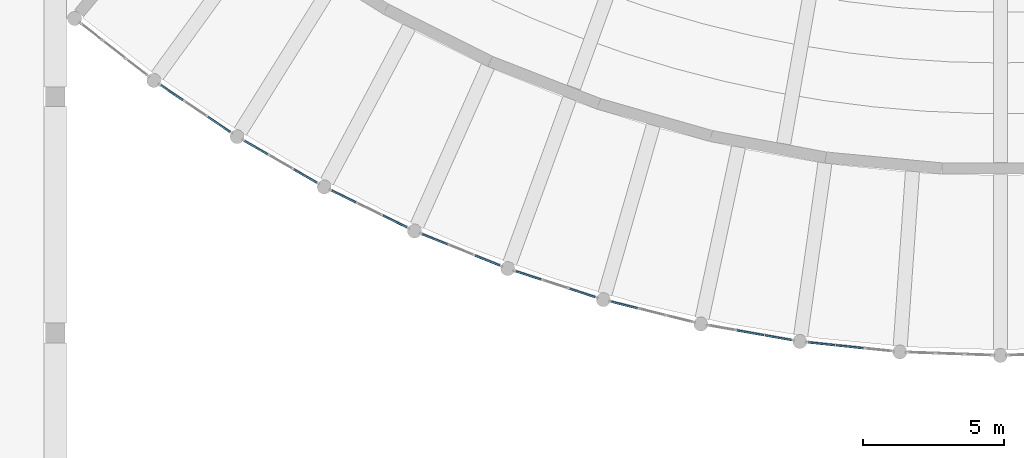
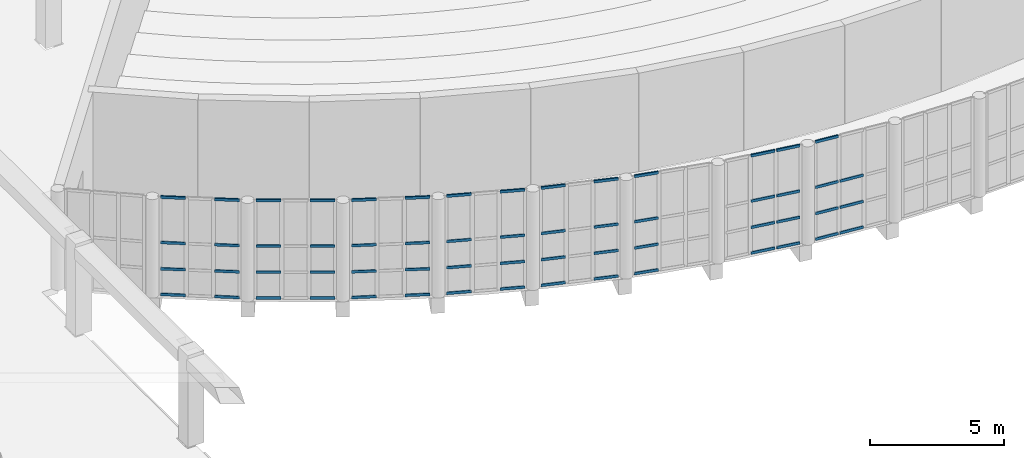
# One storey, part 58 of 162: 59 members, 8 elements without a shape of their own.
"""IFC4 building model written with IfcOpenShell, lengths in metres."""

from ifc_helpers import new_model, si_unit, direction, frame, origin, origin_2d, place, context, subcontext, project, spatial, rectangle, extrude, material, layer, layer_set, material_profile, profile_set, type_object, element, aggregate, save


model = new_model("IFC4")

# Units and contexts
model_context = context("Model", 3, precision=1e-05, world=origin(), true_north=direction((0.0, 1.0)))
body_context = subcontext(model_context, "Body", "Model", "MODEL_VIEW")
ifc_project = project(units=[si_unit("LENGTHUNIT", "METRE"), si_unit("AREAUNIT", "SQUARE_METRE"), si_unit("VOLUMEUNIT", "CUBIC_METRE"), si_unit("PLANEANGLEUNIT", "RADIAN"), si_unit("MASSUNIT", "GRAM", prefix="KILO")], contexts=[model_context])

# Site, building, storey
site_placement = place(None, origin())
site = spatial("IfcSite", under=ifc_project, at=site_placement, CompositionType="ELEMENT")
building_placement = place(site_placement, origin())
building = spatial("IfcBuilding", under=site, at=building_placement, Name="Rain Tree Exposition and Congress Centre", CompositionType="ELEMENT")
storey_placement = place(building_placement, frame((0.0, 0.0, 6.0)))
storey = spatial("IfcBuildingStorey", under=building, at=storey_placement, Name="L01", CompositionType="ELEMENT", Elevation=6.0)

# Curtain wall, members
ifc_material_1 = material(Name="Aluminium", Category="aluminium")
ifc_layer = layer(ifc_material_1, 0.10009765625)
ifc_layer_set = layer_set([ifc_layer], Name="Aluminium")
curtain_wall_type = type_object("IfcCurtainWallType", Name="Curtain wall congress", PredefinedType="NOTDEFINED", material=ifc_layer_set)
curtain_wall_1_placement = place(storey_placement, origin())
curtain_wall_1 = element("IfcCurtainWall", 1, at=curtain_wall_1_placement, inside=storey, type_object=curtain_wall_type, Name="Curtain wall L01 bay 2", PredefinedType="NOTDEFINED")
ifc_material_2 = material(Name="Aluminium", Category="aluminium")
ifc_material_profile = material_profile(ifc_material_2, rectangle(XDim=0.06005859375, YDim=0.1201171875, at=origin_2d()), Name="AL 60x120")
ifc_profile_set = profile_set([ifc_material_profile], Name="Aluminium")
member_type = type_object("IfcMemberType", Name="Curtain wall transom 60x120 congress", PredefinedType="USERDEFINED", material=ifc_profile_set)
member_1_placement = place(storey_placement, frame((171.762451171875, 25.60498046875, 0.030029296875), z_axis=(0.828942550457, -0.559333753712, 0.0), x_axis=(0.559333753712, 0.828942550457, 0.0)))
member_1 = element("IfcMember", 2, at=member_1_placement, type_object=member_type, Name="CWG202 transom 1.1", ObjectType="TRANSOM", PredefinedType="USERDEFINED", context=body_context, shape_type="SweptSolid", body=[
    extrude(rectangle(XDim=0.06005859375, YDim=0.1201171875, at=origin_2d()), origin(), (0.0, 0.0, 1.0), 0.9345703125),
])
member_2_placement = place(storey_placement, frame((171.762451171875, 25.60498046875, 1.199951171875), z_axis=(0.828942550457, -0.559333753712, 0.0), x_axis=(0.559333753712, 0.828942550457, 0.0)))
member_2 = element("IfcMember", 3, at=member_2_placement, type_object=member_type, Name="CWG202 transom 1.2", ObjectType="TRANSOM", PredefinedType="USERDEFINED", context=body_context, shape_type="SweptSolid", body=[
    extrude(rectangle(XDim=0.06005859375, YDim=0.1201171875, at=origin_2d()), origin(), (0.0, 0.0, 1.0), 0.9345703125),
])
member_3_placement = place(storey_placement, frame((171.762451171875, 25.60498046875, 2.39990234375), z_axis=(0.828942550457, -0.559333753712, 0.0), x_axis=(0.559333753712, 0.828942550457, 0.0)))
member_3 = element("IfcMember", 4, at=member_3_placement, type_object=member_type, Name="CWG202 transom 1.3", ObjectType="TRANSOM", PredefinedType="USERDEFINED", context=body_context, shape_type="SweptSolid", body=[
    extrude(rectangle(XDim=0.06005859375, YDim=0.1201171875, at=origin_2d()), origin(), (0.0, 0.0, 1.0), 0.9345703125),
])
member_4_placement = place(storey_placement, frame((171.762451171875, 25.60498046875, 4.469970703125), z_axis=(0.828942550457, -0.559333753712, 0.0), x_axis=(0.559333753712, 0.828942550457, 0.0)))
member_4 = element("IfcMember", 5, at=member_4_placement, type_object=member_type, Name="CWG202 transom 1.4", ObjectType="TRANSOM", PredefinedType="USERDEFINED", context=body_context, shape_type="SweptSolid", body=[
    extrude(rectangle(XDim=0.06005859375, YDim=0.1201171875, at=origin_2d()), origin(), (0.0, 0.0, 1.0), 0.9345703125),
])
member_5_placement = place(storey_placement, frame((173.436279296875, 24.475830078125, 0.030029296875), z_axis=(0.829145343923, -0.559033092626, 0.0), x_axis=(0.559033092626, 0.829145343923, 0.0)))
member_5 = element("IfcMember", 6, at=member_5_placement, type_object=member_type, Name="CWG202 transom 3.1", ObjectType="TRANSOM", PredefinedType="USERDEFINED", context=body_context, shape_type="SweptSolid", body=[
    extrude(rectangle(XDim=0.06005859375, YDim=0.1201171875, at=origin_2d()), origin(), (0.0, 0.0, 1.0), 0.9345703125),
])
member_6_placement = place(storey_placement, frame((173.436279296875, 24.475830078125, 1.199951171875), z_axis=(0.829145343923, -0.559033092626, 0.0), x_axis=(0.559033092626, 0.829145343923, 0.0)))
member_6 = element("IfcMember", 7, at=member_6_placement, type_object=member_type, Name="CWG202 transom 3.2", ObjectType="TRANSOM", PredefinedType="USERDEFINED", context=body_context, shape_type="SweptSolid", body=[
    extrude(rectangle(XDim=0.06005859375, YDim=0.1201171875, at=origin_2d()), origin(), (0.0, 0.0, 1.0), 0.9345703125),
])
member_7_placement = place(storey_placement, frame((173.436279296875, 24.475830078125, 2.39990234375), z_axis=(0.829145343923, -0.559033092626, 0.0), x_axis=(0.559033092626, 0.829145343923, 0.0)))
member_7 = element("IfcMember", 8, at=member_7_placement, type_object=member_type, Name="CWG202 transom 3.3", ObjectType="TRANSOM", PredefinedType="USERDEFINED", context=body_context, shape_type="SweptSolid", body=[
    extrude(rectangle(XDim=0.06005859375, YDim=0.1201171875, at=origin_2d()), origin(), (0.0, 0.0, 1.0), 0.9345703125),
])
member_8_placement = place(storey_placement, frame((173.436279296875, 24.475830078125, 4.469970703125), z_axis=(0.829145343923, -0.559033092626, 0.0), x_axis=(0.559033092626, 0.829145343923, 0.0)))
member_8 = element("IfcMember", 9, at=member_8_placement, type_object=member_type, Name="CWG202 transom 3.4", ObjectType="TRANSOM", PredefinedType="USERDEFINED", context=body_context, shape_type="SweptSolid", body=[
    extrude(rectangle(XDim=0.06005859375, YDim=0.1201171875, at=origin_2d()), origin(), (0.0, 0.0, 1.0), 0.9345703125),
])
aggregate(curtain_wall_1, [member_1, member_2, member_3, member_4, member_5, member_6, member_7, member_8])

curtain_wall_2_placement = place(storey_placement, origin())
curtain_wall_2 = element("IfcCurtainWall", 10, at=curtain_wall_2_placement, inside=storey, type_object=curtain_wall_type, Name="Curtain wall L01 bay 3", PredefinedType="NOTDEFINED")
member_9_placement = place(storey_placement, frame((174.736572265625, 23.625, 0.030029296875), z_axis=(0.866015917575, -0.500016430238, 0.0), x_axis=(0.500016430238, 0.866015917575, 0.0)))
member_9 = element("IfcMember", 11, at=member_9_placement, type_object=member_type, Name="CWG203 transom 1.1", ObjectType="TRANSOM", PredefinedType="USERDEFINED", context=body_context, shape_type="SweptSolid", body=[
    extrude(rectangle(XDim=0.06005859375, YDim=0.1201171875, at=origin_2d()), origin(), (0.0, 0.0, 1.0), 0.9345703125),
])
member_10_placement = place(storey_placement, frame((174.736572265625, 23.625, 1.199951171875), z_axis=(0.866015917575, -0.500016430238, 0.0), x_axis=(0.500016430238, 0.866015917575, 0.0)))
member_10 = element("IfcMember", 12, at=member_10_placement, type_object=member_type, Name="CWG203 transom 1.2", ObjectType="TRANSOM", PredefinedType="USERDEFINED", context=body_context, shape_type="SweptSolid", body=[
    extrude(rectangle(XDim=0.06005859375, YDim=0.1201171875, at=origin_2d()), origin(), (0.0, 0.0, 1.0), 0.9345703125),
])
member_11_placement = place(storey_placement, frame((174.736572265625, 23.625, 2.39990234375), z_axis=(0.866015917575, -0.500016430238, 0.0), x_axis=(0.500016430238, 0.866015917575, 0.0)))
member_11 = element("IfcMember", 13, at=member_11_placement, type_object=member_type, Name="CWG203 transom 1.3", ObjectType="TRANSOM", PredefinedType="USERDEFINED", context=body_context, shape_type="SweptSolid", body=[
    extrude(rectangle(XDim=0.06005859375, YDim=0.1201171875, at=origin_2d()), origin(), (0.0, 0.0, 1.0), 0.9345703125),
])
member_12_placement = place(storey_placement, frame((174.736572265625, 23.625, 4.469970703125), z_axis=(0.866015917575, -0.500016430238, 0.0), x_axis=(0.500016430238, 0.866015917575, 0.0)))
member_12 = element("IfcMember", 14, at=member_12_placement, type_object=member_type, Name="CWG203 transom 1.4", ObjectType="TRANSOM", PredefinedType="USERDEFINED", context=body_context, shape_type="SweptSolid", body=[
    extrude(rectangle(XDim=0.06005859375, YDim=0.1201171875, at=origin_2d()), origin(), (0.0, 0.0, 1.0), 0.9345703125),
])
member_13_placement = place(storey_placement, frame((176.485107421875, 22.615478515625, 0.030029296875), z_axis=(0.866015917575, -0.500016430238, 0.0), x_axis=(0.500016430238, 0.866015917575, 0.0)))
member_13 = element("IfcMember", 15, at=member_13_placement, type_object=member_type, Name="CWG203 transom 3.1", ObjectType="TRANSOM", PredefinedType="USERDEFINED", context=body_context, shape_type="SweptSolid", body=[
    extrude(rectangle(XDim=0.06005859375, YDim=0.1201171875, at=origin_2d()), origin(), (0.0, 0.0, 1.0), 0.9345703125),
])
member_14_placement = place(storey_placement, frame((176.485107421875, 22.615478515625, 1.199951171875), z_axis=(0.866015917575, -0.500016430238, 0.0), x_axis=(0.500016430238, 0.866015917575, 0.0)))
member_14 = element("IfcMember", 16, at=member_14_placement, type_object=member_type, Name="CWG203 transom 3.2", ObjectType="TRANSOM", PredefinedType="USERDEFINED", context=body_context, shape_type="SweptSolid", body=[
    extrude(rectangle(XDim=0.06005859375, YDim=0.1201171875, at=origin_2d()), origin(), (0.0, 0.0, 1.0), 0.9345703125),
])
member_15_placement = place(storey_placement, frame((176.485107421875, 22.615478515625, 2.39990234375), z_axis=(0.866015917575, -0.500016430238, 0.0), x_axis=(0.500016430238, 0.866015917575, 0.0)))
member_15 = element("IfcMember", 17, at=member_15_placement, type_object=member_type, Name="CWG203 transom 3.3", ObjectType="TRANSOM", PredefinedType="USERDEFINED", context=body_context, shape_type="SweptSolid", body=[
    extrude(rectangle(XDim=0.06005859375, YDim=0.1201171875, at=origin_2d()), origin(), (0.0, 0.0, 1.0), 0.9345703125),
])
member_16_placement = place(storey_placement, frame((176.485107421875, 22.615478515625, 4.469970703125), z_axis=(0.866015917575, -0.500016430238, 0.0), x_axis=(0.500016430238, 0.866015917575, 0.0)))
member_16 = element("IfcMember", 18, at=member_16_placement, type_object=member_type, Name="CWG203 transom 3.4", ObjectType="TRANSOM", PredefinedType="USERDEFINED", context=body_context, shape_type="SweptSolid", body=[
    extrude(rectangle(XDim=0.06005859375, YDim=0.1201171875, at=origin_2d()), origin(), (0.0, 0.0, 1.0), 0.9345703125),
])
aggregate(curtain_wall_2, [member_9, member_10, member_11, member_12, member_13, member_14, member_15, member_16])

curtain_wall_3_placement = place(storey_placement, origin())
curtain_wall_3 = element("IfcCurtainWall", 19, at=curtain_wall_3_placement, inside=storey, type_object=curtain_wall_type, Name="Curtain wall L01 bay 4", PredefinedType="NOTDEFINED")
member_17_placement = place(storey_placement, frame((177.841796875, 21.857177734375, 0.030029296875), z_axis=(0.89877346762, -0.438413336821, 0.0), x_axis=(0.438413336821, 0.89877346762, 0.0)))
member_17 = element("IfcMember", 20, at=member_17_placement, type_object=member_type, Name="CWG204 transom 1.1", ObjectType="TRANSOM", PredefinedType="USERDEFINED", context=body_context, shape_type="SweptSolid", body=[
    extrude(rectangle(XDim=0.06005859375, YDim=0.1201171875, at=origin_2d()), origin(), (0.0, 0.0, 1.0), 0.934326171875),
])
member_18_placement = place(storey_placement, frame((177.841796875, 21.857177734375, 1.199951171875), z_axis=(0.89877346762, -0.438413336821, 0.0), x_axis=(0.438413336821, 0.89877346762, 0.0)))
member_18 = element("IfcMember", 21, at=member_18_placement, type_object=member_type, Name="CWG204 transom 1.2", ObjectType="TRANSOM", PredefinedType="USERDEFINED", context=body_context, shape_type="SweptSolid", body=[
    extrude(rectangle(XDim=0.06005859375, YDim=0.1201171875, at=origin_2d()), origin(), (0.0, 0.0, 1.0), 0.934326171875),
])
member_19_placement = place(storey_placement, frame((177.841796875, 21.857177734375, 2.39990234375), z_axis=(0.89877346762, -0.438413336821, 0.0), x_axis=(0.438413336821, 0.89877346762, 0.0)))
member_19 = element("IfcMember", 22, at=member_19_placement, type_object=member_type, Name="CWG204 transom 1.3", ObjectType="TRANSOM", PredefinedType="USERDEFINED", context=body_context, shape_type="SweptSolid", body=[
    extrude(rectangle(XDim=0.06005859375, YDim=0.1201171875, at=origin_2d()), origin(), (0.0, 0.0, 1.0), 0.934326171875),
])
member_20_placement = place(storey_placement, frame((177.841796875, 21.857177734375, 4.469970703125), z_axis=(0.89877346762, -0.438413336821, 0.0), x_axis=(0.438413336821, 0.89877346762, 0.0)))
member_20 = element("IfcMember", 23, at=member_20_placement, type_object=member_type, Name="CWG204 transom 1.4", ObjectType="TRANSOM", PredefinedType="USERDEFINED", context=body_context, shape_type="SweptSolid", body=[
    extrude(rectangle(XDim=0.06005859375, YDim=0.1201171875, at=origin_2d()), origin(), (0.0, 0.0, 1.0), 0.934326171875),
])
member_21_placement = place(storey_placement, frame((179.656494140625, 20.97216796875, 0.030029296875), z_axis=(0.898823667925, -0.438310408247, 0.0), x_axis=(0.438310408247, 0.898823667925, 0.0)))
member_21 = element("IfcMember", 24, at=member_21_placement, type_object=member_type, Name="CWG204 transom 3.1", ObjectType="TRANSOM", PredefinedType="USERDEFINED", context=body_context, shape_type="SweptSolid", body=[
    extrude(rectangle(XDim=0.06005859375, YDim=0.1201171875, at=origin_2d()), origin(), (0.0, 0.0, 1.0), 0.9345703125),
])
member_22_placement = place(storey_placement, frame((179.656494140625, 20.97216796875, 1.199951171875), z_axis=(0.898823667925, -0.438310408247, 0.0), x_axis=(0.438310408247, 0.898823667925, 0.0)))
member_22 = element("IfcMember", 25, at=member_22_placement, type_object=member_type, Name="CWG204 transom 3.2", ObjectType="TRANSOM", PredefinedType="USERDEFINED", context=body_context, shape_type="SweptSolid", body=[
    extrude(rectangle(XDim=0.06005859375, YDim=0.1201171875, at=origin_2d()), origin(), (0.0, 0.0, 1.0), 0.9345703125),
])
member_23_placement = place(storey_placement, frame((179.656494140625, 20.97216796875, 2.39990234375), z_axis=(0.898823667925, -0.438310408247, 0.0), x_axis=(0.438310408247, 0.898823667925, 0.0)))
member_23 = element("IfcMember", 26, at=member_23_placement, type_object=member_type, Name="CWG204 transom 3.3", ObjectType="TRANSOM", PredefinedType="USERDEFINED", context=body_context, shape_type="SweptSolid", body=[
    extrude(rectangle(XDim=0.06005859375, YDim=0.1201171875, at=origin_2d()), origin(), (0.0, 0.0, 1.0), 0.9345703125),
])
member_24_placement = place(storey_placement, frame((179.656494140625, 20.97216796875, 4.469970703125), z_axis=(0.898823667925, -0.438310408247, 0.0), x_axis=(0.438310408247, 0.898823667925, 0.0)))
member_24 = element("IfcMember", 27, at=member_24_placement, type_object=member_type, Name="CWG204 transom 3.4", ObjectType="TRANSOM", PredefinedType="USERDEFINED", context=body_context, shape_type="SweptSolid", body=[
    extrude(rectangle(XDim=0.06005859375, YDim=0.1201171875, at=origin_2d()), origin(), (0.0, 0.0, 1.0), 0.9345703125),
])
aggregate(curtain_wall_3, [member_17, member_18, member_19, member_20, member_21, member_22, member_23, member_24])

curtain_wall_4_placement = place(storey_placement, origin())
curtain_wall_4 = element("IfcCurtainWall", 28, at=curtain_wall_4_placement, inside=storey, type_object=curtain_wall_type, Name="Curtain wall L01 bay 5", PredefinedType="NOTDEFINED")
member_25_placement = place(storey_placement, frame((181.0625, 20.310302734375, 0.030029296875), z_axis=(0.927173788996, -0.374631505613, 0.0), x_axis=(0.374631505613, 0.927173788996, 0.0)))
member_25 = element("IfcMember", 29, at=member_25_placement, type_object=member_type, Name="CWG205 transom 1.1", ObjectType="TRANSOM", PredefinedType="USERDEFINED", context=body_context, shape_type="SweptSolid", body=[
    extrude(rectangle(XDim=0.06005859375, YDim=0.1201171875, at=origin_2d()), origin(), (0.0, 0.0, 1.0), 0.9345703125),
])
member_26_placement = place(storey_placement, frame((181.0625, 20.310302734375, 1.199951171875), z_axis=(0.927173788996, -0.374631505613, 0.0), x_axis=(0.374631505613, 0.927173788996, 0.0)))
member_26 = element("IfcMember", 30, at=member_26_placement, type_object=member_type, Name="CWG205 transom 1.2", ObjectType="TRANSOM", PredefinedType="USERDEFINED", context=body_context, shape_type="SweptSolid", body=[
    extrude(rectangle(XDim=0.06005859375, YDim=0.1201171875, at=origin_2d()), origin(), (0.0, 0.0, 1.0), 0.9345703125),
])
member_27_placement = place(storey_placement, frame((181.0625, 20.310302734375, 2.39990234375), z_axis=(0.927173788996, -0.374631505613, 0.0), x_axis=(0.374631505613, 0.927173788996, 0.0)))
member_27 = element("IfcMember", 31, at=member_27_placement, type_object=member_type, Name="CWG205 transom 1.3", ObjectType="TRANSOM", PredefinedType="USERDEFINED", context=body_context, shape_type="SweptSolid", body=[
    extrude(rectangle(XDim=0.06005859375, YDim=0.1201171875, at=origin_2d()), origin(), (0.0, 0.0, 1.0), 0.9345703125),
])
member_28_placement = place(storey_placement, frame((181.0625, 20.310302734375, 4.469970703125), z_axis=(0.927173788996, -0.374631505613, 0.0), x_axis=(0.374631505613, 0.927173788996, 0.0)))
member_28 = element("IfcMember", 32, at=member_28_placement, type_object=member_type, Name="CWG205 transom 1.4", ObjectType="TRANSOM", PredefinedType="USERDEFINED", context=body_context, shape_type="SweptSolid", body=[
    extrude(rectangle(XDim=0.06005859375, YDim=0.1201171875, at=origin_2d()), origin(), (0.0, 0.0, 1.0), 0.9345703125),
])
member_29_placement = place(storey_placement, frame((182.9345703125, 19.553955078125, 0.030029296875), z_axis=(0.927210441696, -0.374540781237, 0.0), x_axis=(0.374540781237, 0.927210441696, 0.0)))
member_29 = element("IfcMember", 33, at=member_29_placement, type_object=member_type, Name="CWG205 transom 3.1", ObjectType="TRANSOM", PredefinedType="USERDEFINED", context=body_context, shape_type="SweptSolid", body=[
    extrude(rectangle(XDim=0.06005859375, YDim=0.1201171875, at=origin_2d()), origin(), (0.0, 0.0, 1.0), 0.934814453125),
])
member_30_placement = place(storey_placement, frame((182.9345703125, 19.553955078125, 1.199951171875), z_axis=(0.927210441696, -0.374540781237, 0.0), x_axis=(0.374540781237, 0.927210441696, 0.0)))
member_30 = element("IfcMember", 34, at=member_30_placement, type_object=member_type, Name="CWG205 transom 3.2", ObjectType="TRANSOM", PredefinedType="USERDEFINED", context=body_context, shape_type="SweptSolid", body=[
    extrude(rectangle(XDim=0.06005859375, YDim=0.1201171875, at=origin_2d()), origin(), (0.0, 0.0, 1.0), 0.934814453125),
])
member_31_placement = place(storey_placement, frame((182.9345703125, 19.553955078125, 2.39990234375), z_axis=(0.927210441696, -0.374540781237, 0.0), x_axis=(0.374540781237, 0.927210441696, 0.0)))
member_31 = element("IfcMember", 35, at=member_31_placement, type_object=member_type, Name="CWG205 transom 3.3", ObjectType="TRANSOM", PredefinedType="USERDEFINED", context=body_context, shape_type="SweptSolid", body=[
    extrude(rectangle(XDim=0.06005859375, YDim=0.1201171875, at=origin_2d()), origin(), (0.0, 0.0, 1.0), 0.934814453125),
])
member_32_placement = place(storey_placement, frame((182.9345703125, 19.553955078125, 4.469970703125), z_axis=(0.927210441696, -0.374540781237, 0.0), x_axis=(0.374540781237, 0.927210441696, 0.0)))
member_32 = element("IfcMember", 36, at=member_32_placement, type_object=member_type, Name="CWG205 transom 3.4", ObjectType="TRANSOM", PredefinedType="USERDEFINED", context=body_context, shape_type="SweptSolid", body=[
    extrude(rectangle(XDim=0.06005859375, YDim=0.1201171875, at=origin_2d()), origin(), (0.0, 0.0, 1.0), 0.934814453125),
])
aggregate(curtain_wall_4, [member_25, member_26, member_27, member_28, member_29, member_30, member_31, member_32])

curtain_wall_5_placement = place(storey_placement, origin())
curtain_wall_5 = element("IfcCurtainWall", 37, at=curtain_wall_5_placement, inside=storey, type_object=curtain_wall_type, Name="Curtain wall L01 bay 6", PredefinedType="NOTDEFINED")
member_33_placement = place(storey_placement, frame((184.38330078125, 18.991943359375, 0.030029296875), z_axis=(0.951059019947, -0.309009288821, 0.0), x_axis=(0.309009288821, 0.951059019947, 0.0)))
member_33 = element("IfcMember", 38, at=member_33_placement, type_object=member_type, Name="CWG206 transom 1.1", ObjectType="TRANSOM", PredefinedType="USERDEFINED", context=body_context, shape_type="SweptSolid", body=[
    extrude(rectangle(XDim=0.06005859375, YDim=0.1201171875, at=origin_2d()), origin(), (0.0, 0.0, 1.0), 0.9345703125),
])
member_34_placement = place(storey_placement, frame((184.38330078125, 18.991943359375, 1.199951171875), z_axis=(0.951059019947, -0.309009288821, 0.0), x_axis=(0.309009288821, 0.951059019947, 0.0)))
member_34 = element("IfcMember", 39, at=member_34_placement, type_object=member_type, Name="CWG206 transom 1.2", ObjectType="TRANSOM", PredefinedType="USERDEFINED", context=body_context, shape_type="SweptSolid", body=[
    extrude(rectangle(XDim=0.06005859375, YDim=0.1201171875, at=origin_2d()), origin(), (0.0, 0.0, 1.0), 0.9345703125),
])
member_35_placement = place(storey_placement, frame((184.38330078125, 18.991943359375, 2.39990234375), z_axis=(0.951059019947, -0.309009288821, 0.0), x_axis=(0.309009288821, 0.951059019947, 0.0)))
member_35 = element("IfcMember", 40, at=member_35_placement, type_object=member_type, Name="CWG206 transom 1.3", ObjectType="TRANSOM", PredefinedType="USERDEFINED", context=body_context, shape_type="SweptSolid", body=[
    extrude(rectangle(XDim=0.06005859375, YDim=0.1201171875, at=origin_2d()), origin(), (0.0, 0.0, 1.0), 0.9345703125),
])
member_36_placement = place(storey_placement, frame((184.38330078125, 18.991943359375, 4.469970703125), z_axis=(0.951059019947, -0.309009288821, 0.0), x_axis=(0.309009288821, 0.951059019947, 0.0)))
member_36 = element("IfcMember", 41, at=member_36_placement, type_object=member_type, Name="CWG206 transom 1.4", ObjectType="TRANSOM", PredefinedType="USERDEFINED", context=body_context, shape_type="SweptSolid", body=[
    extrude(rectangle(XDim=0.06005859375, YDim=0.1201171875, at=origin_2d()), origin(), (0.0, 0.0, 1.0), 0.9345703125),
])
member_37_placement = place(storey_placement, frame((186.3037109375, 18.367919921875, 0.030029296875), z_axis=(0.951135762238, -0.308772993948, 0.0), x_axis=(0.308772993948, 0.951135762238, 0.0)))
member_37 = element("IfcMember", 42, at=member_37_placement, type_object=member_type, Name="CWG206 transom 3.1", ObjectType="TRANSOM", PredefinedType="USERDEFINED", context=body_context, shape_type="SweptSolid", body=[
    extrude(rectangle(XDim=0.06005859375, YDim=0.1201171875, at=origin_2d()), origin(), (0.0, 0.0, 1.0), 0.9345703125),
])
member_38_placement = place(storey_placement, frame((186.3037109375, 18.367919921875, 1.199951171875), z_axis=(0.951135762238, -0.308772993948, 0.0), x_axis=(0.308772993948, 0.951135762238, 0.0)))
member_38 = element("IfcMember", 43, at=member_38_placement, type_object=member_type, Name="CWG206 transom 3.2", ObjectType="TRANSOM", PredefinedType="USERDEFINED", context=body_context, shape_type="SweptSolid", body=[
    extrude(rectangle(XDim=0.06005859375, YDim=0.1201171875, at=origin_2d()), origin(), (0.0, 0.0, 1.0), 0.9345703125),
])
member_39_placement = place(storey_placement, frame((186.3037109375, 18.367919921875, 2.39990234375), z_axis=(0.951135762238, -0.308772993948, 0.0), x_axis=(0.308772993948, 0.951135762238, 0.0)))
member_39 = element("IfcMember", 44, at=member_39_placement, type_object=member_type, Name="CWG206 transom 3.3", ObjectType="TRANSOM", PredefinedType="USERDEFINED", context=body_context, shape_type="SweptSolid", body=[
    extrude(rectangle(XDim=0.06005859375, YDim=0.1201171875, at=origin_2d()), origin(), (0.0, 0.0, 1.0), 0.9345703125),
])
member_40_placement = place(storey_placement, frame((186.3037109375, 18.367919921875, 4.469970703125), z_axis=(0.951135762238, -0.308772993948, 0.0), x_axis=(0.308772993948, 0.951135762238, 0.0)))
member_40 = element("IfcMember", 45, at=member_40_placement, type_object=member_type, Name="CWG206 transom 3.4", ObjectType="TRANSOM", PredefinedType="USERDEFINED", context=body_context, shape_type="SweptSolid", body=[
    extrude(rectangle(XDim=0.06005859375, YDim=0.1201171875, at=origin_2d()), origin(), (0.0, 0.0, 1.0), 0.9345703125),
])
aggregate(curtain_wall_5, [member_33, member_34, member_35, member_36, member_37, member_38, member_39, member_40])

curtain_wall_6_placement = place(storey_placement, origin())
curtain_wall_6 = element("IfcCurtainWall", 46, at=curtain_wall_6_placement, inside=storey, type_object=curtain_wall_type, Name="Curtain wall L01 bay 7", PredefinedType="NOTDEFINED")
member_41_placement = place(storey_placement, frame((187.7880859375, 17.908447265625, 0.030029296875), z_axis=(0.970295984, -0.241920861923, 0.0), x_axis=(0.241920861923, 0.970295984, 0.0)))
member_41 = element("IfcMember", 47, at=member_41_placement, type_object=member_type, Name="CWG207 transom 1.1", ObjectType="TRANSOM", PredefinedType="USERDEFINED", context=body_context, shape_type="SweptSolid", body=[
    extrude(rectangle(XDim=0.06005859375, YDim=0.1201171875, at=origin_2d()), origin(), (0.0, 0.0, 1.0), 0.9345703125),
])
member_42_placement = place(storey_placement, frame((187.7880859375, 17.908447265625, 1.199951171875), z_axis=(0.970295984, -0.241920861923, 0.0), x_axis=(0.241920861923, 0.970295984, 0.0)))
member_42 = element("IfcMember", 48, at=member_42_placement, type_object=member_type, Name="CWG207 transom 1.2", ObjectType="TRANSOM", PredefinedType="USERDEFINED", context=body_context, shape_type="SweptSolid", body=[
    extrude(rectangle(XDim=0.06005859375, YDim=0.1201171875, at=origin_2d()), origin(), (0.0, 0.0, 1.0), 0.9345703125),
])
member_43_placement = place(storey_placement, frame((187.7880859375, 17.908447265625, 2.39990234375), z_axis=(0.970295984, -0.241920861923, 0.0), x_axis=(0.241920861923, 0.970295984, 0.0)))
member_43 = element("IfcMember", 49, at=member_43_placement, type_object=member_type, Name="CWG207 transom 1.3", ObjectType="TRANSOM", PredefinedType="USERDEFINED", context=body_context, shape_type="SweptSolid", body=[
    extrude(rectangle(XDim=0.06005859375, YDim=0.1201171875, at=origin_2d()), origin(), (0.0, 0.0, 1.0), 0.9345703125),
])
member_44_placement = place(storey_placement, frame((187.7880859375, 17.908447265625, 4.469970703125), z_axis=(0.970295984, -0.241920861923, 0.0), x_axis=(0.241920861923, 0.970295984, 0.0)))
member_44 = element("IfcMember", 50, at=member_44_placement, type_object=member_type, Name="CWG207 transom 1.4", ObjectType="TRANSOM", PredefinedType="USERDEFINED", context=body_context, shape_type="SweptSolid", body=[
    extrude(rectangle(XDim=0.06005859375, YDim=0.1201171875, at=origin_2d()), origin(), (0.0, 0.0, 1.0), 0.9345703125),
])
aggregate(curtain_wall_6, [member_41, member_42, member_43, member_44])

curtain_wall_7_placement = place(storey_placement, origin())
curtain_wall_7 = element("IfcCurtainWall", 51, at=curtain_wall_7_placement, inside=storey, type_object=curtain_wall_type, Name="Curtain wall L01 bay 8", PredefinedType="NOTDEFINED")
member_45_placement = place(storey_placement, frame((192.23974609375, 16.892333984375, 0.030029296875), z_axis=(0.984803941004, -0.173669795252, 0.0), x_axis=(0.173669795252, 0.984803941004, 0.0)))
member_45 = element("IfcMember", 52, at=member_45_placement, type_object=member_type, Name="CWG208 transom 2.1", ObjectType="TRANSOM", PredefinedType="USERDEFINED", context=body_context, shape_type="SweptSolid", body=[
    extrude(rectangle(XDim=0.06005859375, YDim=0.1201171875, at=origin_2d()), origin(), (0.0, 0.0, 1.0), 0.96435546875),
])
member_46_placement = place(storey_placement, frame((192.23974609375, 16.892333984375, 1.199951171875), z_axis=(0.984803941004, -0.173669795252, 0.0), x_axis=(0.173669795252, 0.984803941004, 0.0)))
member_46 = element("IfcMember", 53, at=member_46_placement, type_object=member_type, Name="CWG208 transom 2.2", ObjectType="TRANSOM", PredefinedType="USERDEFINED", context=body_context, shape_type="SweptSolid", body=[
    extrude(rectangle(XDim=0.06005859375, YDim=0.1201171875, at=origin_2d()), origin(), (0.0, 0.0, 1.0), 0.96435546875),
])
member_47_placement = place(storey_placement, frame((192.23974609375, 16.892333984375, 2.39990234375), z_axis=(0.984803941004, -0.173669795252, 0.0), x_axis=(0.173669795252, 0.984803941004, 0.0)))
member_47 = element("IfcMember", 54, at=member_47_placement, type_object=member_type, Name="CWG208 transom 2.3", ObjectType="TRANSOM", PredefinedType="USERDEFINED", context=body_context, shape_type="SweptSolid", body=[
    extrude(rectangle(XDim=0.06005859375, YDim=0.1201171875, at=origin_2d()), origin(), (0.0, 0.0, 1.0), 0.96435546875),
])
member_48_placement = place(storey_placement, frame((192.23974609375, 16.892333984375, 4.469970703125), z_axis=(0.984803941004, -0.173669795252, 0.0), x_axis=(0.173669795252, 0.984803941004, 0.0)))
member_48 = element("IfcMember", 55, at=member_48_placement, type_object=member_type, Name="CWG208 transom 2.4", ObjectType="TRANSOM", PredefinedType="USERDEFINED", context=body_context, shape_type="SweptSolid", body=[
    extrude(rectangle(XDim=0.06005859375, YDim=0.1201171875, at=origin_2d()), origin(), (0.0, 0.0, 1.0), 0.96435546875),
])
member_49_placement = place(storey_placement, frame((193.24853515625, 16.71435546875, 0.030029296875), z_axis=(0.984796704621, -0.173710824555, 0.0), x_axis=(0.173710824555, 0.984796704621, 0.0)))
member_49 = element("IfcMember", 56, at=member_49_placement, type_object=member_type, Name="CWG208 transom 3.1", ObjectType="TRANSOM", PredefinedType="USERDEFINED", context=body_context, shape_type="SweptSolid", body=[
    extrude(rectangle(XDim=0.06005859375, YDim=0.1201171875, at=origin_2d()), origin(), (0.0, 0.0, 1.0), 0.9345703125),
])
member_50_placement = place(storey_placement, frame((193.24853515625, 16.71435546875, 1.199951171875), z_axis=(0.984796704621, -0.173710824555, 0.0), x_axis=(0.173710824555, 0.984796704621, 0.0)))
member_50 = element("IfcMember", 57, at=member_50_placement, type_object=member_type, Name="CWG208 transom 3.2", ObjectType="TRANSOM", PredefinedType="USERDEFINED", context=body_context, shape_type="SweptSolid", body=[
    extrude(rectangle(XDim=0.06005859375, YDim=0.1201171875, at=origin_2d()), origin(), (0.0, 0.0, 1.0), 0.9345703125),
])
member_51_placement = place(storey_placement, frame((193.24853515625, 16.71435546875, 2.39990234375), z_axis=(0.984796704621, -0.173710824555, 0.0), x_axis=(0.173710824555, 0.984796704621, 0.0)))
member_51 = element("IfcMember", 58, at=member_51_placement, type_object=member_type, Name="CWG208 transom 3.3", ObjectType="TRANSOM", PredefinedType="USERDEFINED", context=body_context, shape_type="SweptSolid", body=[
    extrude(rectangle(XDim=0.06005859375, YDim=0.1201171875, at=origin_2d()), origin(), (0.0, 0.0, 1.0), 0.9345703125),
])
member_52_placement = place(storey_placement, frame((193.24853515625, 16.71435546875, 4.469970703125), z_axis=(0.984796704621, -0.173710824555, 0.0), x_axis=(0.173710824555, 0.984796704621, 0.0)))
member_52 = element("IfcMember", 59, at=member_52_placement, type_object=member_type, Name="CWG208 transom 3.4", ObjectType="TRANSOM", PredefinedType="USERDEFINED", context=body_context, shape_type="SweptSolid", body=[
    extrude(rectangle(XDim=0.06005859375, YDim=0.1201171875, at=origin_2d()), origin(), (0.0, 0.0, 1.0), 0.9345703125),
])
aggregate(curtain_wall_7, [member_45, member_46, member_47, member_48, member_49, member_50, member_51, member_52])

curtain_wall_8_placement = place(storey_placement, origin())
curtain_wall_8 = element("IfcCurtainWall", 60, at=curtain_wall_8_placement, inside=storey, type_object=curtain_wall_type, Name="Curtain wall L01 bay 9", PredefinedType="NOTDEFINED")
member_53_placement = place(storey_placement, frame((194.78271484375, 16.4658203125, 0.030029296875), z_axis=(0.994525474721, -0.104494402387, 0.0), x_axis=(0.104494402387, 0.994525474721, 0.0)))
member_53 = element("IfcMember", 61, at=member_53_placement, type_object=member_type, Name="CWG209 transom 1.1", ObjectType="TRANSOM", PredefinedType="USERDEFINED", context=body_context, shape_type="SweptSolid", body=[
    extrude(rectangle(XDim=0.06005859375, YDim=0.1201171875, at=origin_2d()), origin(), (0.0, 0.0, 1.0), 0.9345703125),
])
member_54_placement = place(storey_placement, frame((194.78271484375, 16.4658203125, 1.199951171875), z_axis=(0.994525474721, -0.104494402387, 0.0), x_axis=(0.104494402387, 0.994525474721, 0.0)))
member_54 = element("IfcMember", 62, at=member_54_placement, type_object=member_type, Name="CWG209 transom 1.2", ObjectType="TRANSOM", PredefinedType="USERDEFINED", context=body_context, shape_type="SweptSolid", body=[
    extrude(rectangle(XDim=0.06005859375, YDim=0.1201171875, at=origin_2d()), origin(), (0.0, 0.0, 1.0), 0.9345703125),
])
member_55_placement = place(storey_placement, frame((194.78271484375, 16.4658203125, 2.39990234375), z_axis=(0.994525474721, -0.104494402387, 0.0), x_axis=(0.104494402387, 0.994525474721, 0.0)))
member_55 = element("IfcMember", 63, at=member_55_placement, type_object=member_type, Name="CWG209 transom 1.3", ObjectType="TRANSOM", PredefinedType="USERDEFINED", context=body_context, shape_type="SweptSolid", body=[
    extrude(rectangle(XDim=0.06005859375, YDim=0.1201171875, at=origin_2d()), origin(), (0.0, 0.0, 1.0), 0.9345703125),
])
member_56_placement = place(storey_placement, frame((194.78271484375, 16.4658203125, 4.469970703125), z_axis=(0.994525474721, -0.104494402387, 0.0), x_axis=(0.104494402387, 0.994525474721, 0.0)))
member_56 = element("IfcMember", 64, at=member_56_placement, type_object=member_type, Name="CWG209 transom 1.4", ObjectType="TRANSOM", PredefinedType="USERDEFINED", context=body_context, shape_type="SweptSolid", body=[
    extrude(rectangle(XDim=0.06005859375, YDim=0.1201171875, at=origin_2d()), origin(), (0.0, 0.0, 1.0), 0.9345703125),
])
member_57_placement = place(storey_placement, frame((195.771728515625, 16.36181640625, 0.030029296875), z_axis=(0.994520699095, -0.10453984442, 0.0), x_axis=(0.10453984442, 0.994520699095, 0.0)))
member_57 = element("IfcMember", 65, at=member_57_placement, type_object=member_type, Name="CWG209 transom 2.1", ObjectType="TRANSOM", PredefinedType="USERDEFINED", context=body_context, shape_type="SweptSolid", body=[
    extrude(rectangle(XDim=0.06005859375, YDim=0.1201171875, at=origin_2d()), origin(), (0.0, 0.0, 1.0), 0.964599609375),
])
member_58_placement = place(storey_placement, frame((195.771728515625, 16.36181640625, 1.199951171875), z_axis=(0.994520699095, -0.10453984442, 0.0), x_axis=(0.10453984442, 0.994520699095, 0.0)))
member_58 = element("IfcMember", 66, at=member_58_placement, type_object=member_type, Name="CWG209 transom 2.2", ObjectType="TRANSOM", PredefinedType="USERDEFINED", context=body_context, shape_type="SweptSolid", body=[
    extrude(rectangle(XDim=0.06005859375, YDim=0.1201171875, at=origin_2d()), origin(), (0.0, 0.0, 1.0), 0.964599609375),
])
member_59_placement = place(storey_placement, frame((195.771728515625, 16.36181640625, 2.39990234375), z_axis=(0.994520699095, -0.10453984442, 0.0), x_axis=(0.10453984442, 0.994520699095, 0.0)))
member_59 = element("IfcMember", 67, at=member_59_placement, type_object=member_type, Name="CWG209 transom 2.3", ObjectType="TRANSOM", PredefinedType="USERDEFINED", context=body_context, shape_type="SweptSolid", body=[
    extrude(rectangle(XDim=0.06005859375, YDim=0.1201171875, at=origin_2d()), origin(), (0.0, 0.0, 1.0), 0.964599609375),
])
aggregate(curtain_wall_8, [member_53, member_54, member_55, member_56, member_57, member_58, member_59])

save(model, "model.ifc")
